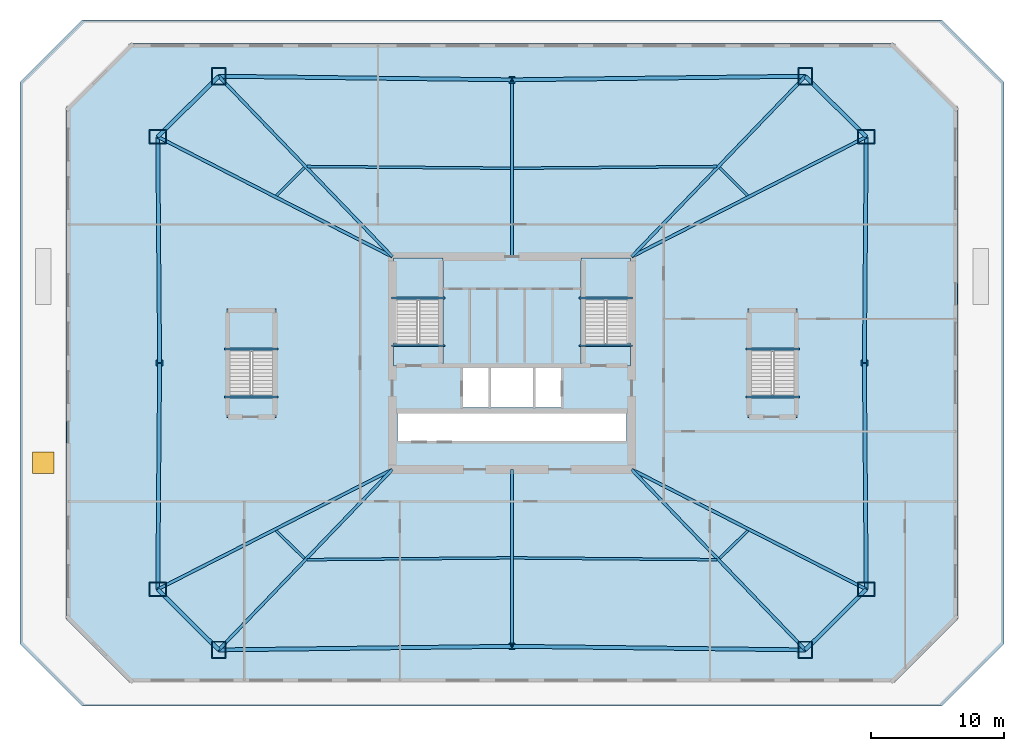
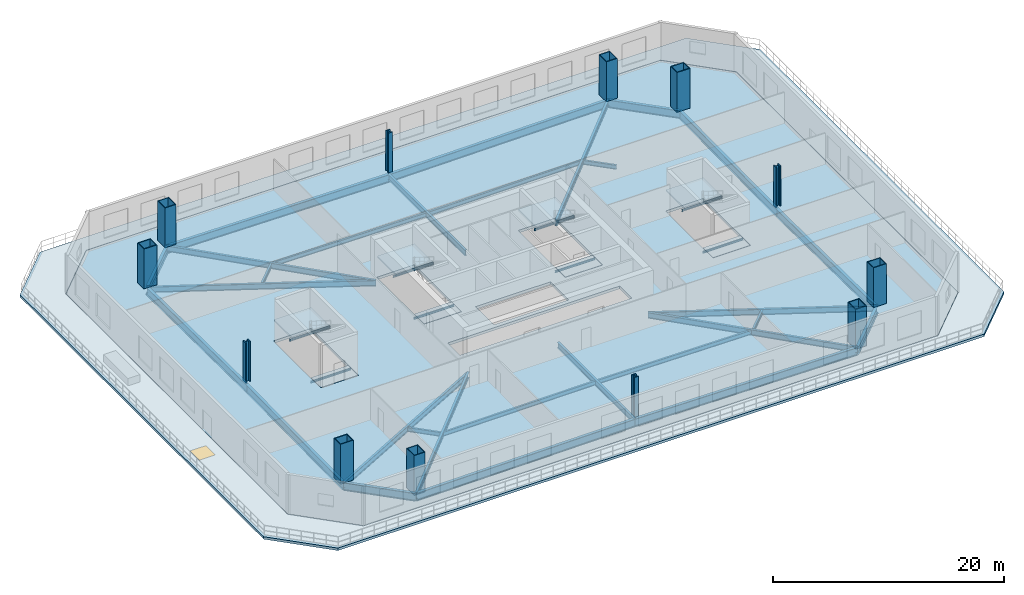
# One storey, part 1 of 10: 38 beams, 12 columns, 10 slabs, 1 window, 1 opening, 4 elements without a shape of their own.
"""IFC4 building model written with IfcOpenShell, lengths in metres."""

import ifcopenshell
import ifcopenshell.guid

model = None  # the IFC model being written
_history = None  # IfcOwnerHistory: only IFC2X3 demands one
_inside = {}  # id of a spatial element -> (the spatial element, [elements in it])
_under = {}  # id of a project, library or spatial element -> (it, [spatial elements below it])
_declared = {}  # id of a project -> (the project, [libraries it declares])
_typed = {}  # id of a type object -> (the type object, [elements of that type])
_made_of = {}  # id of a material, layer set ... -> (it, [elements and type objects made of it])


def new_model(schema):
    """Start an empty IFC model of exactly this schema.

    Asked for "IFC4X3", IfcOpenShell would pick the latest addendum, in which some entities
    have other attributes; the version numbers below select the first issue.
    IFC2X3 requires an IfcOwnerHistory on every rooted entity: one is made here for all.
    """
    global model, _history
    if schema == "IFC4X3":
        model = ifcopenshell.file(schema_version=(4, 3, 0, 0))
    else:
        model = ifcopenshell.file(schema=schema)
    _inside.clear()
    _under.clear()
    _declared.clear()
    _typed.clear()
    _made_of.clear()
    _history = None
    if model.schema == "IFC2X3":
        org = make("IfcOrganization", Name="unknown")
        user = make(
            "IfcPersonAndOrganization",
            ThePerson=make("IfcPerson", FamilyName="unknown"),
            TheOrganization=org,
        )
        app = make(
            "IfcApplication",
            ApplicationDeveloper=org,
            Version="unknown",
            ApplicationFullName="unknown",
            ApplicationIdentifier="unknown",
        )
        _history = make(
            "IfcOwnerHistory",
            OwningUser=user,
            OwningApplication=app,
            ChangeAction="ADDED",
            CreationDate=0,
        )
    return model


def make(cls, **values):
    """One entity of the class cls with the attributes given. An attribute that is None is left unset."""
    return model.create_entity(
        cls, **{name: value for name, value in values.items() if value is not None}
    )


def rooted(cls, **values):
    """An entity with a GlobalId (a new one), such as an element, a storey or a relation."""
    return make(cls, GlobalId=ifcopenshell.guid.new(), OwnerHistory=_history, **values)


def si_unit(unit_type, name, prefix=None):
    """IfcSIUnit, for example si_unit("LENGTHUNIT", "METRE", prefix="MILLI")."""
    return make("IfcSIUnit", UnitType=unit_type, Prefix=prefix, Name=name)


def assignment(units):
    """IfcUnitAssignment: the units of a project."""
    return None if units is None else make("IfcUnitAssignment", Units=units)


def point(xyz):
    """IfcCartesianPoint."""
    return None if xyz is None else make("IfcCartesianPoint", Coordinates=xyz)


def direction(xyz):
    """IfcDirection."""
    return None if xyz is None else make("IfcDirection", DirectionRatios=xyz)


def frame(location, z_axis=None, x_axis=None):
    """IfcAxis2Placement3D, a coordinate frame: its origin and axes. An axis left out is left unset."""
    return make(
        "IfcAxis2Placement3D",
        Location=point(location),
        Axis=direction(z_axis),
        RefDirection=direction(x_axis),
    )


def frame_2d(location, x_axis=None):
    """IfcAxis2Placement2D, a coordinate frame in the plane: its origin and x axis."""
    return make(
        "IfcAxis2Placement2D", Location=point(location), RefDirection=direction(x_axis)
    )


def origin():
    """The frame at (0, 0, 0) with its axes left unset."""
    return frame((0.0, 0.0, 0.0))


def origin_2d():
    """The frame at (0, 0) in the plane with its x axis left unset."""
    return frame_2d((0.0, 0.0))


def place(relative_to, where):
    """IfcLocalPlacement: puts the frame where relative to a parent placement (None: the world)."""
    return make(
        "IfcLocalPlacement", PlacementRelTo=relative_to, RelativePlacement=where
    )


def context(
    kind, dimensions, precision=None, world=None, true_north=None, identifier=None
):
    """IfcGeometricRepresentationContext, for example the 3D "Model" context."""
    return make(
        "IfcGeometricRepresentationContext",
        ContextIdentifier=identifier,
        ContextType=kind,
        CoordinateSpaceDimension=dimensions,
        Precision=precision,
        WorldCoordinateSystem=world,
        TrueNorth=true_north,
    )


def subcontext(parent, identifier, kind, view, scale=None):
    """IfcGeometricRepresentationSubContext, for example "Body" below "Model"."""
    return make(
        "IfcGeometricRepresentationSubContext",
        ContextIdentifier=identifier,
        ContextType=kind,
        ParentContext=parent,
        TargetScale=scale,
        TargetView=view,
    )


def project(units=None, contexts=None):
    """IfcProject with its units and contexts."""
    return rooted(
        "IfcProject",
        Name="project",
        RepresentationContexts=contexts,
        UnitsInContext=assignment(units),
    )


def spatial(cls, under=None, at=None, **own):
    """A site, building, storey or space (cls), placed at a placement, below another one or the project."""
    s = rooted(cls, ObjectPlacement=at, **own)
    if under is not None:
        _under.setdefault(under.id(), (under, []))[1].append(s)
    return s


def polyline(points):
    """IfcPolyline through the points."""
    return make("IfcPolyline", Points=[point(p) for p in points])


def profile(cls, at=None, kind="AREA", **sizes):
    """A parametric profile (cls). Its sizes go by their IFC names, for example OverallWidth=200.0."""
    return make(cls, ProfileType=kind, Position=at, **sizes)


def rectangle(**sizes):
    """IfcRectangleProfileDef."""
    return profile("IfcRectangleProfileDef", **sizes)


def hollow_rectangle(**sizes):
    """IfcRectangleHollowProfileDef."""
    return profile("IfcRectangleHollowProfileDef", **sizes)


def i_section(**sizes):
    """IfcIShapeProfileDef."""
    return profile("IfcIShapeProfileDef", **sizes)


def outline(outer, holes=None, kind="AREA"):
    """IfcArbitraryClosedProfileDef: a profile drawn as a closed curve; with holes, ...WithVoids."""
    if holes is None:
        return make("IfcArbitraryClosedProfileDef", ProfileType=kind, OuterCurve=outer)
    return make(
        "IfcArbitraryProfileDefWithVoids",
        ProfileType=kind,
        OuterCurve=outer,
        InnerCurves=holes,
    )


def extrude(swept, where, along, depth):
    """IfcExtrudedAreaSolid: the profile swept, set in the frame where, extruded along a direction by depth."""
    return make(
        "IfcExtrudedAreaSolid",
        SweptArea=swept,
        Position=where,
        ExtrudedDirection=direction(along),
        Depth=depth,
    )


def shape(context_of_items, identifier, shape_type, items):
    """IfcShapeRepresentation: the items that make up one representation, for example the "Body"."""
    return make(
        "IfcShapeRepresentation",
        ContextOfItems=context_of_items,
        RepresentationIdentifier=identifier,
        RepresentationType=shape_type,
        Items=items,
    )


def material(Name=None, Category=None):
    """IfcMaterial."""
    return make("IfcMaterial", Name=Name, Category=Category)


def layer(
    of_material, thickness, ventilated=None, Name=None, Category=None, Priority=None
):
    """IfcMaterialLayer: one layer of a wall or slab, of a material (None: an air gap)."""
    return make(
        "IfcMaterialLayer",
        Material=of_material,
        LayerThickness=thickness,
        IsVentilated=ventilated,
        Name=Name,
        Category=Category,
        Priority=Priority,
    )


def layer_set(layers, Name=None):
    """IfcMaterialLayerSet."""
    return make("IfcMaterialLayerSet", MaterialLayers=layers, LayerSetName=Name)


def material_profile(
    of_material, cross_section, Name=None, Category=None, Priority=None
):
    """IfcMaterialProfile: a cross section and its material."""
    return make(
        "IfcMaterialProfile",
        Name=Name,
        Material=of_material,
        Profile=cross_section,
        Priority=Priority,
        Category=Category,
    )


def profile_set(profiles, Name=None, composite=None):
    """IfcMaterialProfileSet."""
    return make(
        "IfcMaterialProfileSet",
        Name=Name,
        MaterialProfiles=profiles,
        CompositeProfile=composite,
    )


def made_of(thing, what):
    """Note that an element or type object is made of a material, layer set ...; save() writes the relation."""
    if what is not None:
        _made_of.setdefault(what.id(), (what, []))[1].append(thing)
    return thing


def type_object(cls, material=None, **own):
    """A type object (cls), such as IfcWallType, which elements share."""
    return made_of(rooted(cls, **own), material)


def element(
    cls,
    number,
    at=None,
    inside=None,
    cuts=None,
    type_object=None,
    material=None,
    context=None,
    identifier="Body",
    shape_type=None,
    held_by="IfcProductDefinitionShape",
    body=None,
    shapes=None,
    **own,
):
    """One element of the class cls, such as IfcWall. Its Tag is "e" and its number.

    at: its placement. inside: the storey or other place that contains it. cuts: it is an
    opening in that element (IfcRelVoidsElement). A single representation is given by context,
    identifier, shape_type and body (its items); several are given by shapes. held_by: the class
    of the entity that holds the representations. save() writes the other relations.
    """
    e = rooted(cls, Tag="e%d" % number, ObjectPlacement=at, **own)
    if body is not None:
        shapes = [shape(context, identifier, shape_type, body)]
    if shapes is not None:
        e.Representation = make(held_by, Representations=shapes)
    if inside is not None:
        _inside.setdefault(inside.id(), (inside, []))[1].append(e)
    if cuts is not None:
        rooted(
            "IfcRelVoidsElement", RelatingBuildingElement=cuts, RelatedOpeningElement=e
        )
    if type_object is not None:
        _typed.setdefault(type_object.id(), (type_object, []))[1].append(e)
    return made_of(e, material)


def fill(opening, filler):
    """IfcRelFillsElement: the door or window that sits in an opening."""
    return rooted(
        "IfcRelFillsElement",
        RelatingOpeningElement=opening,
        RelatedBuildingElement=filler,
    )


def aggregate(whole, parts):
    """IfcRelAggregates: a whole, such as a stair, and the parts it consists of."""
    return rooted("IfcRelAggregates", RelatingObject=whole, RelatedObjects=parts)


def save(model, path):
    """Write the relations noted so far, then the file.

    IfcRelAggregates (storeys below a building ...), IfcRelContainedInSpatialStructure (elements
    in a storey), IfcRelDefinesByType, IfcRelAssociatesMaterial and IfcRelDeclares: one each for
    every whole, place, type object, material and project.
    """
    for whole, parts in _under.values():
        aggregate(whole, parts)
    for where, things in _inside.values():
        rooted(
            "IfcRelContainedInSpatialStructure",
            RelatedElements=things,
            RelatingStructure=where,
        )
    for kind, things in _typed.values():
        rooted("IfcRelDefinesByType", RelatedObjects=things, RelatingType=kind)
    for what, things in _made_of.values():
        rooted("IfcRelAssociatesMaterial", RelatedObjects=things, RelatingMaterial=what)
    for by, libraries in _declared.values():
        rooted("IfcRelDeclares", RelatingContext=by, RelatedDefinitions=libraries)
    model.write(path)


model = new_model("IFC4")

# Units and contexts
model_context = context("Model", 3, precision=1e-05, world=origin(), true_north=direction((0.0, 1.0)))
body_context = subcontext(model_context, "Body", "Model", "MODEL_VIEW")
ifc_project = project(units=[si_unit("LENGTHUNIT", "METRE"), si_unit("AREAUNIT", "SQUARE_METRE"), si_unit("VOLUMEUNIT", "CUBIC_METRE"), si_unit("PLANEANGLEUNIT", "RADIAN"), si_unit("MASSUNIT", "GRAM", prefix="KILO")], contexts=[model_context])

# Site, building, storey
site_placement = place(None, origin())
site = spatial("IfcSite", under=ifc_project, at=site_placement, CompositionType="ELEMENT")
building_placement = place(site_placement, origin())
building = spatial("IfcBuilding", under=site, at=building_placement, Name="Caelvoria Tower", CompositionType="ELEMENT")
storey_placement = place(building_placement, frame((0.0, 0.0, 14.0)))
storey = spatial("IfcBuildingStorey", under=building, at=storey_placement, Name="L03", CompositionType="ELEMENT", Elevation=14.0)

# Columns
ifc_material_1 = material(Name="Structural Steel ASTM A913 Gr.65", Category="steel")
ifc_material_profile_1 = material_profile(ifc_material_1, i_section(OverallWidth=0.43896484375, OverallDepth=0.513916015625, WebThickness=0.059814453125, FlangeThickness=0.096923828125, FilletRadius=0.02490234375, at=origin_2d()), Name="Structural Steel ASTM A913 Gr.65")
ifc_profile_set_1 = profile_set([ifc_material_profile_1], Name="W360X818 - Structural Steel ASTM A913 Gr.65")
column_type_1 = type_object("IfcColumnType", Name="Heavy Frame Column W360X818", PredefinedType="COLUMN", material=ifc_profile_set_1)
for number, where, z_axis, x_axis, name in (
    (1, (46.0, 10.699951171875, 0.0), (0.0, 0.0, 1.0), (1.0, 0.0, 0.0), "Perimeter Megaframe Column L03-P01"),
    (2, (72.5, 32.0, 0.0), (0.0, 0.0, 1.0), (0.0, 1.0, 0.0), "Perimeter Megaframe Column L03-P04"),
    (3, (46.0, 53.300048828125, 0.0), (0.0, 0.0, 1.0), (1.0, 0.0, 0.0), "Perimeter Megaframe Column L03-P07"),
    (4, (19.5, 32.0, 0.0), (0.0, 0.0, 1.0), (0.0, 1.0, 0.0), "Perimeter Megaframe Column L03-P10"),
):
    element("IfcColumn", number, at=place(storey_placement, frame(where, z_axis=z_axis, x_axis=x_axis)), inside=storey, type_object=column_type_1, Name=name, PredefinedType="COLUMN", context=body_context, shape_type="SweptSolid", body=[
        extrude(i_section(OverallWidth=0.43896484375, OverallDepth=0.513916015625, WebThickness=0.059814453125, FlangeThickness=0.096923828125, FilletRadius=0.02490234375, at=origin_2d()), origin(), (0.0, 0.0, 1.0), 4.2080078125),
    ])
ifc_material_2 = material(Name="Structural Steel ASTM A572 Gr.50", Category="steel")
ifc_material_profile_2 = material_profile(ifc_material_2, hollow_rectangle(XDim=1.10009765625, YDim=1.300048828125, WallThickness=0.070068359375, at=origin_2d()), Name="Structural Steel ASTM A572 Gr.50")
ifc_profile_set_2 = profile_set([ifc_material_profile_2], Name="BOX1300X1100X70 - Structural Steel ASTM A572 Gr.50")
column_type_2 = type_object("IfcColumnType", Name="Mega Box Column 1300x1100x70", PredefinedType="COLUMN", material=ifc_profile_set_2)
for number, where, z_axis, x_axis, name in (
    (5, (23.943359375, 10.42919921875, 0.0), (0.0, 0.0, 1.0), (1.0, 0.0, 0.0), "Perimeter Megaframe Column L03-P00"),
    (6, (68.056640625, 10.42919921875, 0.0), (0.0, 0.0, 1.0), (1.0, 0.0, 0.0), "Perimeter Megaframe Column L03-P02"),
    (7, (72.6416015625, 14.984375, 0.0), (0.0, 0.0, 1.0), (0.0, 1.0, 0.0), "Perimeter Megaframe Column L03-P03"),
    (8, (72.6416015625, 49.015625, 0.0), (0.0, 0.0, 1.0), (0.0, 1.0, 0.0), "Perimeter Megaframe Column L03-P05"),
    (9, (68.056640625, 53.57080078125, 0.0), (0.0, 0.0, 1.0), (1.0, 0.0, 0.0), "Perimeter Megaframe Column L03-P06"),
    (10, (23.943359375, 53.57080078125, 0.0), (0.0, 0.0, 1.0), (1.0, 0.0, 0.0), "Perimeter Megaframe Column L03-P08"),
    (11, (19.3583984375, 49.015625, 0.0), (0.0, 0.0, 1.0), (0.0, 1.0, 0.0), "Perimeter Megaframe Column L03-P09"),
    (12, (19.3583984375, 14.984375, 0.0), (0.0, 0.0, 1.0), (0.0, 1.0, 0.0), "Perimeter Megaframe Column L03-P11"),
):
    element("IfcColumn", number, at=place(storey_placement, frame(where, z_axis=z_axis, x_axis=x_axis)), inside=storey, type_object=column_type_2, Name=name, PredefinedType="COLUMN", context=body_context, shape_type="SweptSolid", body=[
        extrude(hollow_rectangle(XDim=1.10009765625, YDim=1.300048828125, WallThickness=0.070068359375, at=origin_2d()), origin(), (0.0, 0.0, 1.0), 4.2080078125),
    ])

# Beams
ifc_material_3 = material(Name="Structural Steel ASTM A992 Gr.50", Category="steel")
ifc_material_profile_3 = material_profile(ifc_material_3, i_section(OverallWidth=0.134033203125, OverallDepth=0.2099609375, WebThickness=0.00634765625, FlangeThickness=0.01025390625, FilletRadius=0.010009765625, at=origin_2d()), Name="Structural Steel ASTM A992 Gr.50")
ifc_profile_set_3 = profile_set([ifc_material_profile_3], Name="W200X31.3 - Structural Steel ASTM A992 Gr.50")
beam_type_1 = type_object("IfcBeamType", Name="Canopy Edge Trim Beam W200X31.3", PredefinedType="BEAM", material=ifc_profile_set_3)
for number, where, z_axis, x_axis, name in (
    (13, (36.929931640625, 36.89990234375, 1.945068359375), (1.0, 0.0, 0.0), (0.0, 1.0, 0.0), "ST-01 Half-Landing Support Beam L03"),
    (14, (36.929931640625, 33.300048828125, -0.304931640625), (1.0, 0.0, 0.0), (0.0, 1.0, 0.0), "ST-01 Floor-Landing Support Beam L03"),
    (15, (51.030029296875, 36.89990234375, 1.945068359375), (1.0, 0.0, 0.0), (0.0, 1.0, 0.0), "ST-02 Half-Landing Support Beam L03"),
    (16, (51.030029296875, 33.300048828125, -0.304931640625), (1.0, 0.0, 0.0), (0.0, 1.0, 0.0), "ST-02 Floor-Landing Support Beam L03"),
    (17, (24.3798828125, 33.050048828125, 1.945068359375), (1.0, 0.0, 0.0), (0.0, 1.0, 0.0), "ST-03 Half-Landing Support Beam L03"),
    (18, (24.3798828125, 29.449951171875, -0.304931640625), (1.0, 0.0, 0.0), (0.0, 1.0, 0.0), "ST-03 Floor-Landing Support Beam L03"),
    (19, (63.580078125, 33.050048828125, 1.945068359375), (1.0, 0.0, 0.0), (0.0, 1.0, 0.0), "ST-04 Half-Landing Support Beam L03"),
    (20, (63.580078125, 29.449951171875, -0.304931640625), (1.0, 0.0, 0.0), (0.0, 1.0, 0.0), "ST-04 Floor-Landing Support Beam L03"),
):
    element("IfcBeam", number, at=place(storey_placement, frame(where, z_axis=z_axis, x_axis=x_axis)), inside=storey, type_object=beam_type_1, Name=name, PredefinedType="BEAM", context=body_context, shape_type="SweptSolid", body=[
        extrude(i_section(OverallWidth=0.134033203125, OverallDepth=0.2099609375, WebThickness=0.00634765625, FlangeThickness=0.01025390625, FilletRadius=0.010009765625, at=origin_2d()), origin(), (0.0, 0.0, 1.0), 4.0400390625),
    ])
ifc_material_profile_4 = material_profile(ifc_material_3, i_section(OverallWidth=0.2939453125, OverallDepth=0.85107421875, WebThickness=0.01611328125, FlangeThickness=0.02685546875, FilletRadius=0.02197265625, at=origin_2d()), Name="Structural Steel ASTM A992 Gr.50")
ifc_profile_set_4 = profile_set([ifc_material_profile_4], Name="W840X226 - Structural Steel ASTM A992 Gr.50")
beam_type_2 = type_object("IfcBeamType", Name="Podium Long-Span Girder W840X226", PredefinedType="BEAM", material=ifc_profile_set_4)
for number, where, z_axis, x_axis, name in (
    (21, (23.943359375, 10.42919921875, -0.715576171875), (0.999924666978, 0.01227437855, 0.0), (-0.01227437855, 0.999924666978, 0.0), "Perimeter Spandrel Girder L03-00"),
    (22, (46.0, 10.699951171875, -0.715576171875), (0.999924666978, -0.01227437855, 0.0), (0.01227437855, 0.999924666978, 0.0), "Perimeter Spandrel Girder L03-01"),
):
    element("IfcBeam", number, at=place(storey_placement, frame(where, z_axis=z_axis, x_axis=x_axis)), inside=storey, type_object=beam_type_2, Name=name, PredefinedType="BEAM", context=body_context, shape_type="SweptSolid", body=[
        extrude(i_section(OverallWidth=0.2939453125, OverallDepth=0.85107421875, WebThickness=0.01611328125, FlangeThickness=0.02685546875, FilletRadius=0.02197265625, at=origin_2d()), origin(), (0.0, 0.0, 1.0), 22.058349609375),
    ])
beam_1_placement = place(storey_placement, frame((68.056640625, 10.42919921875, -0.715576171875), z_axis=(0.709407278283, 0.704798775197, 0.0), x_axis=(-0.704798775197, 0.709407278283, 0.0)))
element("IfcBeam", 23, at=beam_1_placement, inside=storey, type_object=beam_type_2, Name="Perimeter Spandrel Girder L03-02", PredefinedType="BEAM", context=body_context, shape_type="SweptSolid", body=[
    extrude(i_section(OverallWidth=0.2939453125, OverallDepth=0.85107421875, WebThickness=0.01611328125, FlangeThickness=0.02685546875, FilletRadius=0.02197265625, at=origin_2d()), origin(), (0.0, 0.0, 1.0), 6.463134765625),
])
for number, where, z_axis, x_axis, name in (
    (24, (72.6416015625, 14.984375, -0.715576171875), (-0.00832156677, 0.999965375164, 0.0), (-0.999965375164, -0.00832156677, 0.0), "Perimeter Spandrel Girder L03-03"),
    (25, (72.5, 32.0, -0.715576171875), (0.00832156677, 0.999965375164, 0.0), (-0.999965375164, 0.00832156677, 0.0), "Perimeter Spandrel Girder L03-04"),
):
    element("IfcBeam", number, at=place(storey_placement, frame(where, z_axis=z_axis, x_axis=x_axis)), inside=storey, type_object=beam_type_2, Name=name, PredefinedType="BEAM", context=body_context, shape_type="SweptSolid", body=[
        extrude(i_section(OverallWidth=0.2939453125, OverallDepth=0.85107421875, WebThickness=0.01611328125, FlangeThickness=0.02685546875, FilletRadius=0.02197265625, at=origin_2d()), origin(), (0.0, 0.0, 1.0), 17.01611328125),
    ])
beam_2_placement = place(storey_placement, frame((72.6416015625, 49.015625, -0.715576171875), z_axis=(-0.709407278283, 0.704798775197, 0.0), x_axis=(-0.704798775197, -0.709407278283, 0.0)))
element("IfcBeam", 26, at=beam_2_placement, inside=storey, type_object=beam_type_2, Name="Perimeter Spandrel Girder L03-05", PredefinedType="BEAM", context=body_context, shape_type="SweptSolid", body=[
    extrude(i_section(OverallWidth=0.2939453125, OverallDepth=0.85107421875, WebThickness=0.01611328125, FlangeThickness=0.02685546875, FilletRadius=0.02197265625, at=origin_2d()), origin(), (0.0, 0.0, 1.0), 6.463134765625),
])
for number, where, z_axis, x_axis, name in (
    (27, (68.056640625, 53.57080078125, -0.715576171875), (-0.999924666978, -0.01227437855, 0.0), (0.01227437855, -0.999924666978, 0.0), "Perimeter Spandrel Girder L03-06"),
    (28, (46.0, 53.300048828125, -0.715576171875), (-0.999924666978, 0.01227437855, 0.0), (-0.01227437855, -0.999924666978, 0.0), "Perimeter Spandrel Girder L03-07"),
):
    element("IfcBeam", number, at=place(storey_placement, frame(where, z_axis=z_axis, x_axis=x_axis)), inside=storey, type_object=beam_type_2, Name=name, PredefinedType="BEAM", context=body_context, shape_type="SweptSolid", body=[
        extrude(i_section(OverallWidth=0.2939453125, OverallDepth=0.85107421875, WebThickness=0.01611328125, FlangeThickness=0.02685546875, FilletRadius=0.02197265625, at=origin_2d()), origin(), (0.0, 0.0, 1.0), 22.058349609375),
    ])
beam_3_placement = place(storey_placement, frame((23.943359375, 53.57080078125, -0.715576171875), z_axis=(-0.709407278283, -0.704798775197, 0.0), x_axis=(0.704798775197, -0.709407278283, 0.0)))
element("IfcBeam", 29, at=beam_3_placement, inside=storey, type_object=beam_type_2, Name="Perimeter Spandrel Girder L03-08", PredefinedType="BEAM", context=body_context, shape_type="SweptSolid", body=[
    extrude(i_section(OverallWidth=0.2939453125, OverallDepth=0.85107421875, WebThickness=0.01611328125, FlangeThickness=0.02685546875, FilletRadius=0.02197265625, at=origin_2d()), origin(), (0.0, 0.0, 1.0), 6.463134765625),
])
for number, where, z_axis, x_axis, name in (
    (30, (19.3583984375, 49.015625, -0.715576171875), (0.00832156677, -0.999965375164, 0.0), (0.999965375164, 0.00832156677, 0.0), "Perimeter Spandrel Girder L03-09"),
    (31, (19.5, 32.0, -0.715576171875), (-0.00832156677, -0.999965375164, 0.0), (0.999965375164, -0.00832156677, 0.0), "Perimeter Spandrel Girder L03-10"),
):
    element("IfcBeam", number, at=place(storey_placement, frame(where, z_axis=z_axis, x_axis=x_axis)), inside=storey, type_object=beam_type_2, Name=name, PredefinedType="BEAM", context=body_context, shape_type="SweptSolid", body=[
        extrude(i_section(OverallWidth=0.2939453125, OverallDepth=0.85107421875, WebThickness=0.01611328125, FlangeThickness=0.02685546875, FilletRadius=0.02197265625, at=origin_2d()), origin(), (0.0, 0.0, 1.0), 17.01611328125),
    ])
beam_4_placement = place(storey_placement, frame((19.3583984375, 14.984375, -0.715576171875), z_axis=(0.709407278283, -0.704798775197, 0.0), x_axis=(0.704798775197, 0.709407278283, 0.0)))
element("IfcBeam", 32, at=beam_4_placement, inside=storey, type_object=beam_type_2, Name="Perimeter Spandrel Girder L03-11", PredefinedType="BEAM", context=body_context, shape_type="SweptSolid", body=[
    extrude(i_section(OverallWidth=0.2939453125, OverallDepth=0.85107421875, WebThickness=0.01611328125, FlangeThickness=0.02685546875, FilletRadius=0.02197265625, at=origin_2d()), origin(), (0.0, 0.0, 1.0), 6.463134765625),
])
ifc_material_profile_5 = material_profile(ifc_material_3, i_section(OverallWidth=0.22900390625, OverallDepth=0.612060546875, WebThickness=0.011962890625, FlangeThickness=0.01953125, FilletRadius=0.01806640625, at=origin_2d()), Name="Structural Steel ASTM A992 Gr.50")
ifc_profile_set_5 = profile_set([ifc_material_profile_5], Name="W610X125 - Structural Steel ASTM A992 Gr.50")
beam_type_3 = type_object("IfcBeamType", Name="Primary Radial Floor Girder W610X125", PredefinedType="BEAM", material=ifc_profile_set_5)
beam_5_placement = place(storey_placement, frame((37.0, 24.0, -0.595947265625), z_axis=(-0.69332372519, -0.720626263807, 0.0), x_axis=(0.720626263807, -0.69332372519, 0.0)))
element("IfcBeam", 33, at=beam_5_placement, inside=storey, type_object=beam_type_3, Name="Primary Floor Girder L03-00", PredefinedType="BEAM", context=body_context, shape_type="SweptSolid", body=[
    extrude(i_section(OverallWidth=0.22900390625, OverallDepth=0.612060546875, WebThickness=0.011962890625, FlangeThickness=0.01953125, FilletRadius=0.01806640625, at=origin_2d()), origin(), (0.0, 0.0, 1.0), 18.83203125),
])
beam_6_placement = place(storey_placement, frame((46.0, 24.0, -0.595947265625), z_axis=(0.0, -1.0, 0.0), x_axis=(1.0, 0.0, 0.0)))
element("IfcBeam", 34, at=beam_6_placement, inside=storey, type_object=beam_type_3, Name="Primary Floor Girder L03-01", PredefinedType="BEAM", context=body_context, shape_type="SweptSolid", body=[
    extrude(i_section(OverallWidth=0.22900390625, OverallDepth=0.612060546875, WebThickness=0.011962890625, FlangeThickness=0.01953125, FilletRadius=0.01806640625, at=origin_2d()), origin(), (0.0, 0.0, 1.0), 13.300048828125),
])
beam_7_placement = place(storey_placement, frame((55.0, 24.0, -0.595947265625), z_axis=(0.69332372519, -0.720626263807, 0.0), x_axis=(0.720626263807, 0.69332372519, 0.0)))
element("IfcBeam", 35, at=beam_7_placement, inside=storey, type_object=beam_type_3, Name="Primary Floor Girder L03-02", PredefinedType="BEAM", context=body_context, shape_type="SweptSolid", body=[
    extrude(i_section(OverallWidth=0.22900390625, OverallDepth=0.612060546875, WebThickness=0.011962890625, FlangeThickness=0.01953125, FilletRadius=0.01806640625, at=origin_2d()), origin(), (0.0, 0.0, 1.0), 18.83203125),
])
for number, where, z_axis, x_axis, name in (
    (36, (55.0, 24.0, -0.595947265625), (0.890459095292, -0.455063291876, 0.0), (0.455063291876, 0.890459095292, 0.0), "Primary Floor Girder L03-03"),
    (37, (55.0, 40.0, -0.595947265625), (0.890459095292, 0.455063291876, 0.0), (-0.455063291876, 0.890459095292, 0.0), "Primary Floor Girder L03-05"),
):
    element("IfcBeam", number, at=place(storey_placement, frame(where, z_axis=z_axis, x_axis=x_axis)), inside=storey, type_object=beam_type_3, Name=name, PredefinedType="BEAM", context=body_context, shape_type="SweptSolid", body=[
        extrude(i_section(OverallWidth=0.22900390625, OverallDepth=0.612060546875, WebThickness=0.011962890625, FlangeThickness=0.01953125, FilletRadius=0.01806640625, at=origin_2d()), origin(), (0.0, 0.0, 1.0), 19.811767578125),
    ])
beam_8_placement = place(storey_placement, frame((55.0, 40.0, -0.595947265625), z_axis=(0.69332372519, 0.720626263807, 0.0), x_axis=(-0.720626263807, 0.69332372519, 0.0)))
element("IfcBeam", 38, at=beam_8_placement, inside=storey, type_object=beam_type_3, Name="Primary Floor Girder L03-06", PredefinedType="BEAM", context=body_context, shape_type="SweptSolid", body=[
    extrude(i_section(OverallWidth=0.22900390625, OverallDepth=0.612060546875, WebThickness=0.011962890625, FlangeThickness=0.01953125, FilletRadius=0.01806640625, at=origin_2d()), origin(), (0.0, 0.0, 1.0), 18.83203125),
])
beam_9_placement = place(storey_placement, frame((46.0, 40.0, -0.595947265625), z_axis=(0.0, 1.0, 0.0), x_axis=(-1.0, 0.0, 0.0)))
element("IfcBeam", 39, at=beam_9_placement, inside=storey, type_object=beam_type_3, Name="Primary Floor Girder L03-07", PredefinedType="BEAM", context=body_context, shape_type="SweptSolid", body=[
    extrude(i_section(OverallWidth=0.22900390625, OverallDepth=0.612060546875, WebThickness=0.011962890625, FlangeThickness=0.01953125, FilletRadius=0.01806640625, at=origin_2d()), origin(), (0.0, 0.0, 1.0), 13.300048828125),
])
beam_10_placement = place(storey_placement, frame((37.0, 40.0, -0.595947265625), z_axis=(-0.69332372519, 0.720626263807, 0.0), x_axis=(-0.720626263807, -0.69332372519, 0.0)))
element("IfcBeam", 40, at=beam_10_placement, inside=storey, type_object=beam_type_3, Name="Primary Floor Girder L03-08", PredefinedType="BEAM", context=body_context, shape_type="SweptSolid", body=[
    extrude(i_section(OverallWidth=0.22900390625, OverallDepth=0.612060546875, WebThickness=0.011962890625, FlangeThickness=0.01953125, FilletRadius=0.01806640625, at=origin_2d()), origin(), (0.0, 0.0, 1.0), 18.83203125),
])
for number, where, z_axis, x_axis, name in (
    (41, (37.0, 40.0, -0.595947265625), (-0.890459095292, 0.455063291876, 0.0), (-0.455063291876, -0.890459095292, 0.0), "Primary Floor Girder L03-09"),
    (42, (37.0, 24.0, -0.595947265625), (-0.890459095292, -0.455063291876, 0.0), (0.455063291876, -0.890459095292, 0.0), "Primary Floor Girder L03-11"),
):
    element("IfcBeam", number, at=place(storey_placement, frame(where, z_axis=z_axis, x_axis=x_axis)), inside=storey, type_object=beam_type_3, Name=name, PredefinedType="BEAM", context=body_context, shape_type="SweptSolid", body=[
        extrude(i_section(OverallWidth=0.22900390625, OverallDepth=0.612060546875, WebThickness=0.011962890625, FlangeThickness=0.01953125, FilletRadius=0.01806640625, at=origin_2d()), origin(), (0.0, 0.0, 1.0), 19.811767578125),
    ])
ifc_material_profile_6 = material_profile(ifc_material_3, i_section(OverallWidth=0.18994140625, OverallDepth=0.45703125, WebThickness=0.009033203125, FlangeThickness=0.014404296875, FilletRadius=0.014892578125, at=origin_2d()), Name="Structural Steel ASTM A992 Gr.50")
ifc_profile_set_6 = profile_set([ifc_material_profile_6], Name="W460X74 - Structural Steel ASTM A992 Gr.50")
beam_type_4 = type_object("IfcBeamType", Name="Secondary Floor Beam W460X74", PredefinedType="BEAM", material=ifc_profile_set_6)
for number, where, z_axis, x_axis, name in (
    (43, (30.5966796875, 17.2158203125, -0.5185546875), (0.9999620801, 0.00870852243, 0.0), (-0.00870852243, 0.9999620801, 0.0), "Secondary Floor Beam L03-00"),
    (44, (46.125, 17.348876953125, -0.5185546875), (0.9999620801, -0.00870852243, 0.0), (0.00870852243, 0.9999620801, 0.0), "Secondary Floor Beam L03-01"),
):
    element("IfcBeam", number, at=place(storey_placement, frame(where, z_axis=z_axis, x_axis=x_axis)), inside=storey, type_object=beam_type_4, Name=name, PredefinedType="BEAM", context=body_context, shape_type="SweptSolid", body=[
        extrude(i_section(OverallWidth=0.18994140625, OverallDepth=0.45703125, WebThickness=0.009033203125, FlangeThickness=0.014404296875, FilletRadius=0.014892578125, at=origin_2d()), origin(), (0.0, 0.0, 1.0), 15.27880859375),
    ])
for number, where, z_axis, x_axis, name in (
    (45, (61.616943359375, 17.302734375, -0.5185546875), (0.709395928351, 0.704810199159, 0.0), (-0.704810199159, 0.709395928351, 0.0), "Secondary Floor Beam L03-02"),
    (46, (63.73193359375, 44.595947265625, -0.5185546875), (-0.709395928351, 0.704810199159, 0.0), (-0.704810199159, -0.709395928351, 0.0), "Secondary Floor Beam L03-05"),
):
    element("IfcBeam", number, at=place(storey_placement, frame(where, z_axis=z_axis, x_axis=x_axis)), inside=storey, type_object=beam_type_4, Name=name, PredefinedType="BEAM", context=body_context, shape_type="SweptSolid", body=[
        extrude(i_section(OverallWidth=0.18994140625, OverallDepth=0.45703125, WebThickness=0.009033203125, FlangeThickness=0.014404296875, FilletRadius=0.014892578125, at=origin_2d()), origin(), (0.0, 0.0, 1.0), 2.9814453125),
    ])
for number, where, z_axis, x_axis, name in (
    (47, (61.4033203125, 46.7841796875, -0.5185546875), (-0.9999620801, -0.00870852243, 0.0), (0.00870852243, -0.9999620801, 0.0), "Secondary Floor Beam L03-06"),
    (48, (45.875, 46.651123046875, -0.5185546875), (-0.9999620801, 0.00870852243, 0.0), (-0.00870852243, -0.9999620801, 0.0), "Secondary Floor Beam L03-07"),
):
    element("IfcBeam", number, at=place(storey_placement, frame(where, z_axis=z_axis, x_axis=x_axis)), inside=storey, type_object=beam_type_4, Name=name, PredefinedType="BEAM", context=body_context, shape_type="SweptSolid", body=[
        extrude(i_section(OverallWidth=0.18994140625, OverallDepth=0.45703125, WebThickness=0.009033203125, FlangeThickness=0.014404296875, FilletRadius=0.014892578125, at=origin_2d()), origin(), (0.0, 0.0, 1.0), 15.27880859375),
    ])
for number, where, z_axis, x_axis, name in (
    (49, (30.383056640625, 46.697265625, -0.5185546875), (-0.709436603289, -0.704769257214, 0.0), (0.704769257214, -0.709436603289, 0.0), "Secondary Floor Beam L03-08"),
    (50, (28.267822265625, 19.404052734375, -0.5185546875), (0.709436603289, -0.704769257214, 0.0), (0.704769257214, 0.709436603289, 0.0), "Secondary Floor Beam L03-11"),
):
    element("IfcBeam", number, at=place(storey_placement, frame(where, z_axis=z_axis, x_axis=x_axis)), inside=storey, type_object=beam_type_4, Name=name, PredefinedType="BEAM", context=body_context, shape_type="SweptSolid", body=[
        extrude(i_section(OverallWidth=0.18994140625, OverallDepth=0.45703125, WebThickness=0.009033203125, FlangeThickness=0.014404296875, FilletRadius=0.014892578125, at=origin_2d()), origin(), (0.0, 0.0, 1.0), 2.981689453125),
    ])

# Stair, slabs
ifc_material_4 = material(Name="Concrete C40/50", Category="concrete")
stair_type = type_object("IfcStairType", Name="Core Smokeproof Dogleg Stair Concrete C40/50", PredefinedType="HALF_TURN_STAIR", material=ifc_material_4)
stair_1_placement = place(storey_placement, origin())
stair_1 = element("IfcStair", 51, at=stair_1_placement, inside=storey, type_object=stair_type, Name="ST-01 Smokeproof Exit Stair L03", PredefinedType="HALF_TURN_STAIR")
ifc_layer_1 = layer(ifc_material_4, 0.199951171875, Name="Concrete C40/50")
ifc_layer_set_1 = layer_set([ifc_layer_1], Name="Stair Half and Floor Landing Slab 200 Concrete C40/50 - Concrete C40/50")
slab_type_1 = type_object("IfcSlabType", Name="Stair Half and Floor Landing Slab 200 Concrete C40/50", PredefinedType="LANDING", material=ifc_layer_set_1)
slab_1_placement = place(storey_placement, frame((0.0, 0.0, -0.199951171875)))
slab_1 = element("IfcSlab", 52, at=slab_1_placement, type_object=slab_type_1, Name="ST-01 landing 1", PredefinedType="LANDING", context=body_context, shape_type="SweptSolid", body=[
    extrude(outline(polyline([(37.10009765625, 31.77001953125), (40.800048828125, 31.77001953125), (40.800048828125, 33.5), (37.10009765625, 33.5), (37.10009765625, 31.77001953125)])), origin(), (0.0, 0.0, 1.0), 0.199951171875),
])
slab_2_placement = place(storey_placement, frame((0.0, 0.0, 2.050048828125)))
slab_2 = element("IfcSlab", 53, at=slab_2_placement, type_object=slab_type_1, Name="ST-01 landing 2", PredefinedType="LANDING", context=body_context, shape_type="SweptSolid", body=[
    extrude(outline(polyline([(37.10009765625, 36.699951171875), (40.800048828125, 36.699951171875), (40.800048828125, 39.89990234375), (37.10009765625, 39.89990234375), (37.10009765625, 36.699951171875)])), origin(), (0.0, 0.0, 1.0), 0.199951171875),
])
aggregate(stair_1, [slab_1, slab_2])

stair_2_placement = place(storey_placement, origin())
stair_2 = element("IfcStair", 54, at=stair_2_placement, inside=storey, type_object=stair_type, Name="ST-02 Smokeproof Exit Stair L03", PredefinedType="HALF_TURN_STAIR")
slab_3_placement = place(storey_placement, frame((0.0, 0.0, -0.199951171875)))
slab_3 = element("IfcSlab", 55, at=slab_3_placement, type_object=slab_type_1, Name="ST-02 landing 1", PredefinedType="LANDING", context=body_context, shape_type="SweptSolid", body=[
    extrude(outline(polyline([(51.199951171875, 31.77001953125), (54.89990234375, 31.77001953125), (54.89990234375, 33.5), (51.199951171875, 33.5), (51.199951171875, 31.77001953125)])), origin(), (0.0, 0.0, 1.0), 0.199951171875),
])
slab_4_placement = place(storey_placement, frame((0.0, 0.0, 2.050048828125)))
slab_4 = element("IfcSlab", 56, at=slab_4_placement, type_object=slab_type_1, Name="ST-02 landing 2", PredefinedType="LANDING", context=body_context, shape_type="SweptSolid", body=[
    extrude(outline(polyline([(51.199951171875, 36.699951171875), (54.89990234375, 36.699951171875), (54.89990234375, 39.89990234375), (51.199951171875, 39.89990234375), (51.199951171875, 36.699951171875)])), origin(), (0.0, 0.0, 1.0), 0.199951171875),
])
aggregate(stair_2, [slab_3, slab_4])

stair_3_placement = place(storey_placement, origin())
stair_3 = element("IfcStair", 57, at=stair_3_placement, inside=storey, type_object=stair_type, Name="ST-03 Smokeproof Exit Stair L03", PredefinedType="HALF_TURN_STAIR")
slab_5_placement = place(storey_placement, frame((0.0, 0.0, -0.199951171875)))
slab_5 = element("IfcSlab", 58, at=slab_5_placement, type_object=slab_type_1, Name="ST-03 landing 1", PredefinedType="LANDING", context=body_context, shape_type="SweptSolid", body=[
    extrude(outline(polyline([(24.550048828125, 27.919921875), (28.25, 27.919921875), (28.25, 29.64990234375), (24.550048828125, 29.64990234375), (24.550048828125, 27.919921875)])), origin(), (0.0, 0.0, 1.0), 0.199951171875),
])
slab_6_placement = place(storey_placement, frame((0.0, 0.0, 2.050048828125)))
slab_6 = element("IfcSlab", 59, at=slab_6_placement, type_object=slab_type_1, Name="ST-03 landing 2", PredefinedType="LANDING", context=body_context, shape_type="SweptSolid", body=[
    extrude(outline(polyline([(24.550048828125, 32.85009765625), (28.25, 32.85009765625), (28.25, 36.050048828125), (24.550048828125, 36.050048828125), (24.550048828125, 32.85009765625)])), origin(), (0.0, 0.0, 1.0), 0.199951171875),
])
aggregate(stair_3, [slab_5, slab_6])

stair_4_placement = place(storey_placement, origin())
stair_4 = element("IfcStair", 60, at=stair_4_placement, inside=storey, type_object=stair_type, Name="ST-04 Smokeproof Exit Stair L03", PredefinedType="HALF_TURN_STAIR")
slab_7_placement = place(storey_placement, frame((0.0, 0.0, -0.199951171875)))
slab_7 = element("IfcSlab", 61, at=slab_7_placement, type_object=slab_type_1, Name="ST-04 landing 1", PredefinedType="LANDING", context=body_context, shape_type="SweptSolid", body=[
    extrude(outline(polyline([(63.75, 27.919921875), (67.449951171875, 27.919921875), (67.449951171875, 29.64990234375), (63.75, 29.64990234375), (63.75, 27.919921875)])), origin(), (0.0, 0.0, 1.0), 0.199951171875),
])
slab_8_placement = place(storey_placement, frame((0.0, 0.0, 2.050048828125)))
slab_8 = element("IfcSlab", 62, at=slab_8_placement, type_object=slab_type_1, Name="ST-04 landing 2", PredefinedType="LANDING", context=body_context, shape_type="SweptSolid", body=[
    extrude(outline(polyline([(63.75, 32.85009765625), (67.449951171875, 32.85009765625), (67.449951171875, 36.050048828125), (63.75, 36.050048828125), (63.75, 32.85009765625)])), origin(), (0.0, 0.0, 1.0), 0.199951171875),
])
aggregate(stair_4, [slab_7, slab_8])

# Slab, opening, window
ifc_layer_2 = layer(ifc_material_4, 0.260009765625, Name="Concrete C40/50")
ifc_layer_set_2 = layer_set([ifc_layer_2], Name="Terraced Podium Roof Garden Slab 260 - Concrete C40/50")
slab_type_2 = type_object("IfcSlabType", Name="Terraced Podium Roof Garden Slab 260", PredefinedType="ROOF", material=ifc_layer_set_2)
slab_9_placement = place(storey_placement, frame((0.0, 0.0, -0.260009765625)))
slab_9 = element("IfcSlab", 63, at=slab_9_placement, inside=storey, type_object=slab_type_2, Name="Level L03 Terraced Podium Roof Deck", PredefinedType="ROOF", context=body_context, shape_type="SweptSolid", body=[
    extrude(outline(polyline([(13.699951171875, 6.199951171875), (78.300048828125, 6.199951171875), (83.0, 10.89990234375), (83.0, 53.10009765625), (78.300048828125, 57.800048828125), (13.699951171875, 57.800048828125), (9.0, 53.10009765625), (9.0, 10.89990234375), (13.699951171875, 6.199951171875)]), holes=[polyline([(17.28466796875, 7.9873046875), (74.71533203125, 7.9873046875), (79.517333984375, 12.7900390625), (79.517333984375, 51.2099609375), (74.71533203125, 56.0126953125), (17.28466796875, 56.0126953125), (12.482666015625, 51.2099609375), (12.482666015625, 12.7900390625), (17.28466796875, 7.9873046875)])]), origin(), (0.0, 0.0, 1.0), 0.260009765625),
])
opening_placement = place(slab_9_placement, frame((10.75, 24.5, 0.0)))
opening = element("IfcOpeningElement", 64, at=opening_placement, cuts=slab_9, Name="Opening SK-01", PredefinedType="OPENING", context=body_context, shape_type="SweptSolid", body=[
    extrude(rectangle(XDim=1.60009765625, YDim=1.60009765625, at=origin_2d()), origin(), (0.0, 0.0, 1.0), 0.260009765625),
])
ifc_material_5 = material(Name="Low-E Tinted Glass in Bronze Aluminium Frame", Category="aluminium")
window_type = type_object("IfcWindowType", Name="Podium Terrace Daylight Skylight 1800x1800", PartitioningType="SINGLE_PANEL", PredefinedType="SKYLIGHT", material=ifc_material_5)
window_placement = place(opening_placement, frame((0.0, 0.0, 0.2099609375)))
window = element("IfcWindow", 65, at=window_placement, inside=storey, type_object=window_type, Name="Podium Terrace Skylight L03", OverallHeight=1.60009765625, OverallWidth=1.60009765625, PartitioningType="SINGLE_PANEL", PredefinedType="SKYLIGHT", context=body_context, shape_type="SweptSolid", body=[
    extrude(rectangle(XDim=1.60009765625, YDim=1.60009765625, at=origin_2d()), origin(), (0.0, 0.0, 1.0), 0.050048828125),
])
fill(opening, window)

# Slab
ifc_layer_3 = layer(ifc_material_4, 0.2900390625, Name="Concrete C40/50")
ifc_layer_set_3 = layer_set([ifc_layer_3], Name="Upper Podium Conference Slab 290 - Concrete C40/50")
slab_type_3 = type_object("IfcSlabType", Name="Upper Podium Conference Slab 290", PredefinedType="FLOOR", material=ifc_layer_set_3)
slab_10_placement = place(storey_placement, frame((0.0, 0.0, -0.2900390625)))
element("IfcSlab", 66, at=slab_10_placement, inside=storey, type_object=slab_type_3, Name="Level L03 Structural Floor Slab", PredefinedType="FLOOR", context=body_context, shape_type="SweptSolid", body=[
    extrude(outline(polyline([(17.300048828125, 8.0), (74.699951171875, 8.0), (79.5, 12.800048828125), (79.5, 51.199951171875), (74.699951171875, 56.0), (17.300048828125, 56.0), (12.5, 51.199951171875), (12.5, 12.800048828125), (17.300048828125, 8.0)]), holes=[polyline([(37.080078125, 31.75), (40.820068359375, 31.75), (40.820068359375, 39.919921875), (37.080078125, 39.919921875), (37.080078125, 31.75)]), polyline([(51.179931640625, 31.75), (54.919921875, 31.75), (54.919921875, 39.919921875), (51.179931640625, 39.919921875), (51.179931640625, 31.75)]), polyline([(42.25, 28.64990234375), (49.75, 28.64990234375), (49.75, 31.800048828125), (42.25, 31.800048828125), (42.25, 28.64990234375)]), polyline([(24.52001953125, 27.89990234375), (28.280029296875, 27.89990234375), (28.280029296875, 36.080078125), (24.52001953125, 36.080078125), (24.52001953125, 27.89990234375)]), polyline([(63.719970703125, 27.89990234375), (67.47998046875, 27.89990234375), (67.47998046875, 36.080078125), (63.719970703125, 36.080078125), (63.719970703125, 27.89990234375)]), polyline([(37.39990234375, 26.14990234375), (54.60009765625, 26.14990234375), (54.60009765625, 28.25), (37.39990234375, 28.25), (37.39990234375, 26.14990234375)])]), origin(), (0.0, 0.0, 1.0), 0.2900390625),
])

save(model, "model.ifc")
